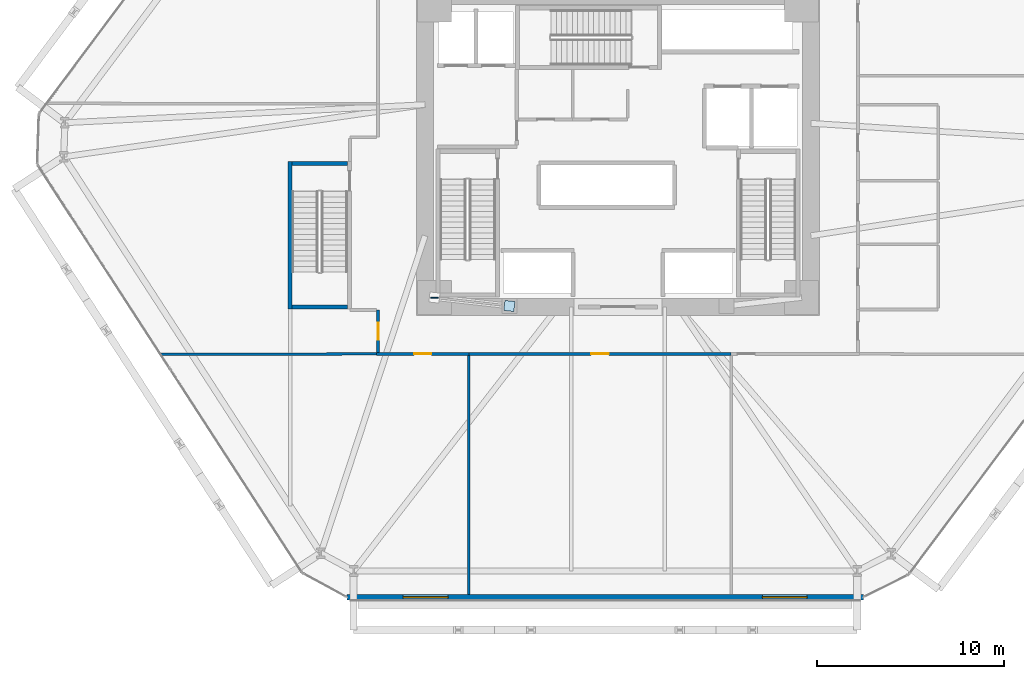
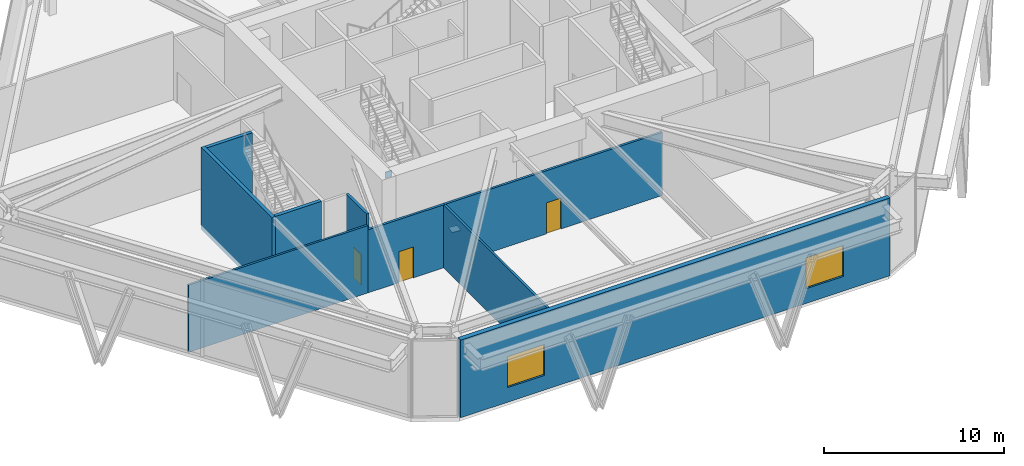
# One storey, part 13 of 19: 9 walls, 3 doors, 2 plates, 2 windows, 5 openings.
"""IFC4 building model written with IfcOpenShell, lengths in metres."""

from ifc_helpers import new_model, si_unit, direction, frame, frame_2d, origin, origin_2d, place, context, subcontext, project, spatial, rectangle, extrude, source, transform, mapped, material, layer, layer_set, type_object, type_shapes, element, fill, save


model = new_model("IFC4")

# Units and contexts
model_context = context("Model", 3, precision=1e-05, world=origin(), true_north=direction((0.0, 1.0)))
body_context = subcontext(model_context, "Body", "Model", "MODEL_VIEW")
ifc_project = project(units=[si_unit("LENGTHUNIT", "METRE"), si_unit("AREAUNIT", "SQUARE_METRE"), si_unit("VOLUMEUNIT", "CUBIC_METRE"), si_unit("PLANEANGLEUNIT", "RADIAN"), si_unit("MASSUNIT", "GRAM", prefix="KILO")], contexts=[model_context])

# Site, building, storey
site_placement = place(None, origin())
site = spatial("IfcSite", under=ifc_project, at=site_placement, CompositionType="ELEMENT")
building_placement = place(site_placement, origin())
building = spatial("IfcBuilding", under=site, at=building_placement, Name="Durnholm Broadcast Tower", CompositionType="ELEMENT")
storey_placement = place(building_placement, frame((0.0, 0.0, 15.60009765625)))
storey = spatial("IfcBuildingStorey", under=building, at=storey_placement, Name="L03", CompositionType="ELEMENT", Elevation=15.60009765625)

# Plates
ifc_material_1 = material(Name="Steel ASTM A572 Grade 50", Category="steel")
ifc_layer_1 = layer(ifc_material_1, 0.044921875)
ifc_layer_set_1 = layer_set([ifc_layer_1], Name="Steel ASTM A572 Grade 50")
plate_type_1 = type_object("IfcPlateType", Name="PLT-KN-STIF", PredefinedType="SHEET", material=ifc_layer_set_1)
shared_shape_1 = source(origin(), body_context, "Body", "SweptSolid", [
    extrude(rectangle(XDim=0.419921875, YDim=0.050048828125, at=origin_2d()), origin(), (0.0, 0.0, 1.0), 0.419921875),
])
type_shapes(plate_type_1, [shared_shape_1])
plate_1_placement = place(storey_placement, frame((-9.800048828125, -7.800048828125, 4.901123046875), z_axis=(0.0, 0.0, 1.0), x_axis=(1.0, 0.0, 0.0)))
element("IfcPlate", 1, at=plate_1_placement, inside=storey, type_object=plate_type_1, Name="L03 gallery stringer brace core wall cast-in plate", ObjectType="GUSSET_PLATE", PredefinedType="USERDEFINED", context=body_context, shape_type="MappedRepresentation", body=[
    mapped(shared_shape_1, transform((0.0, 0.0, 0.0), x_axis=(1.0, 0.0, 0.0), y_axis=(0.0, 1.0, 0.0), z_axis=(0.0, 0.0, 1.0), scale=1.0)),
])
ifc_layer_2 = layer(ifc_material_1, 0.0400390625)
ifc_layer_set_2 = layer_set([ifc_layer_2], Name="Steel ASTM A572 Grade 50")
plate_type_2 = type_object("IfcPlateType", Name="PLT-KN-CAP", PredefinedType="USERDEFINED", material=ifc_layer_set_2)
shared_shape_2 = source(origin(), body_context, "Body", "SweptSolid", [
    extrude(rectangle(XDim=0.5400390625, YDim=0.5400390625, at=origin_2d()), origin(), (0.0, 0.0, 1.0), 0.0400390625),
])
type_shapes(plate_type_2, [shared_shape_2])
plate_2_placement = place(storey_placement, frame((-5.800048828125, -8.25, 0.22998046875), z_axis=(0.0, 0.0, 1.0), x_axis=(-0.99372894862, 0.111815815852, 0.0)))
element("IfcPlate", 2, at=plate_2_placement, inside=storey, type_object=plate_type_2, Name="L03 hollow section end cap plate STL-STG-L03-1 1", ObjectType="CAP_PLATE", PredefinedType="USERDEFINED", context=body_context, shape_type="MappedRepresentation", body=[
    mapped(shared_shape_2, transform((0.0, 0.0, 0.0), x_axis=(1.0, 0.0, 0.0), y_axis=(0.0, 1.0, 0.0), z_axis=(0.0, 0.0, 1.0), scale=1.0)),
])

# Wall, openings, windows
ifc_material_2 = material(Name="Precast Concrete C45/55", Category="concrete")
ifc_layer_3 = layer(ifc_material_2, 0.300048828125)
ifc_layer_set_3 = layer_set([ifc_layer_3], Name="Precast Concrete C45/55")
wall_type_1 = type_object("IfcWallType", Name="WALL-EXT-300", PredefinedType="SOLIDWALL", material=ifc_layer_set_3)
wall_1_placement = place(storey_placement, frame((13.102783203125, -23.800048828125, 0.0), z_axis=(0.0, 0.0, 1.0), x_axis=(-1.0, 0.0, 0.0)))
wall_1 = element("IfcWall", 3, at=wall_1_placement, inside=storey, type_object=wall_type_1, Name="L03 broadcast studio acoustic facade wall 10", PredefinedType="SOLIDWALL", context=body_context, shape_type="SweptSolid", body=[
    extrude(rectangle(XDim=27.577880859375, YDim=0.300048828125, at=frame_2d((13.7890625, 0.0))), origin(), (0.0, 0.0, 1.0), 5.27978515625),
])
opening_1_placement = place(wall_1_placement, frame((3.0, 0.0, 1.0)))
opening_1 = element("IfcOpeningElement", 4, at=opening_1_placement, cuts=wall_1, Name="Opening W1", PredefinedType="OPENING", context=body_context, shape_type="SweptSolid", body=[
    extrude(rectangle(XDim=2.39990234375, YDim=2.10009765625, at=frame_2d((1.199951171875, 1.050048828125))), frame((0.0, 0.16015625, 0.0), z_axis=(0.0, -1.0, 0.0), x_axis=(1.0, 0.0, 0.0)), (0.0, 0.0, 1.0), 0.320068359375),
])
opening_2_placement = place(wall_1_placement, frame((22.177978515625, 0.0, 1.0)))
opening_2 = element("IfcOpeningElement", 5, at=opening_2_placement, cuts=wall_1, Name="Opening W1", PredefinedType="OPENING", context=body_context, shape_type="SweptSolid", body=[
    extrude(rectangle(XDim=2.39990234375, YDim=2.10009765625, at=frame_2d((1.199951171875, 1.050048828125))), frame((0.0, 0.16015625, 0.0), z_axis=(0.0, -1.0, 0.0), x_axis=(1.0, 0.0, 0.0)), (0.0, 0.0, 1.0), 0.320068359375),
])
ifc_material_3 = material(Name="Thermally Broken Aluminium and Laminated Glass", Category="aluminium")
ifc_layer_4 = layer(ifc_material_3, 0.06005859375)
ifc_layer_set_4 = layer_set([ifc_layer_4], Name="Thermally Broken Aluminium and Laminated Glass")
window_type = type_object("IfcWindowType", Name="WIN-W1", PartitioningType="SINGLE_PANEL", PredefinedType="WINDOW", material=ifc_layer_set_4)
shared_shape_3 = source(origin(), body_context, "Body", "SweptSolid", [
    extrude(rectangle(XDim=2.39990234375, YDim=2.10009765625, at=frame_2d((1.199951171875, 1.050048828125))), frame((0.0, 0.030029296875, 0.0), z_axis=(0.0, -1.0, 0.0), x_axis=(1.0, 0.0, 0.0)), (0.0, 0.0, 1.0), 0.06005859375),
])
type_shapes(window_type, [shared_shape_3])
window_1_placement = place(opening_1_placement, origin())
window_1 = element("IfcWindow", 6, at=window_1_placement, inside=storey, type_object=window_type, Name="L03 studio acoustic window 10.1", OverallHeight=2.10009765625, OverallWidth=2.39990234375, PartitioningType="SINGLE_PANEL", PredefinedType="WINDOW", context=body_context, shape_type="MappedRepresentation", body=[
    mapped(shared_shape_3, transform((0.0, 0.0, 0.0), x_axis=(1.0, 0.0, 0.0), y_axis=(0.0, 1.0, 0.0), z_axis=(0.0, 0.0, 1.0), scale=1.0)),
])
fill(opening_1, window_1)
window_2_placement = place(opening_2_placement, origin())
window_2 = element("IfcWindow", 7, at=window_2_placement, inside=storey, type_object=window_type, Name="L03 studio acoustic window 10.2", OverallHeight=2.10009765625, OverallWidth=2.39990234375, PartitioningType="SINGLE_PANEL", PredefinedType="WINDOW", context=body_context, shape_type="MappedRepresentation", body=[
    mapped(shared_shape_3, transform((0.0, 0.0, 0.0), x_axis=(1.0, 0.0, 0.0), y_axis=(0.0, 1.0, 0.0), z_axis=(0.0, 0.0, 1.0), scale=1.0)),
])
fill(opening_2, window_2)

# Walls
ifc_material_4 = material(Name="Gypsum Metal Stud Partition", Category="concrete")
ifc_layer_5 = layer(ifc_material_4, 0.135009765625)
ifc_layer_set_5 = layer_set([ifc_layer_5], Name="Gypsum Metal Stud Partition")
wall_type_2 = type_object("IfcWallType", Name="WALL-PART-135", PredefinedType="PARTITIONING", material=ifc_layer_set_5)
wall_2_placement = place(storey_placement, frame((-7.9599609375, -10.888916015625, 0.0), z_axis=(0.0, 0.0, 1.0), x_axis=(0.0, -1.0, 0.0)))
element("IfcWall", 8, at=wall_2_placement, inside=storey, type_object=wall_type_2, Name="L03 room dividing partition 9.10", PredefinedType="PARTITIONING", context=body_context, shape_type="SweptSolid", body=[
    extrude(rectangle(XDim=12.756103515625, YDim=0.135009765625, at=frame_2d((6.3779296875, 0.0))), origin(), (0.0, 0.0, 1.0), 4.284423828125),
])
wall_3_placement = place(storey_placement, frame((-24.421630859375, -10.831787109375, 0.0), z_axis=(0.0, 0.0, 1.0), x_axis=(0.999998264499, 0.001863061508, 0.0)))
element("IfcWall", 9, at=wall_3_placement, inside=storey, type_object=wall_type_2, Name="L03 room dividing partition 9.12", PredefinedType="PARTITIONING", context=body_context, shape_type="SweptSolid", body=[
    extrude(rectangle(XDim=11.53173828125, YDim=0.135009765625, at=frame_2d((5.765869140625, 0.0))), origin(), (0.0, 0.0, 1.0), 4.573974609375),
])

# Wall, opening, door
ifc_material_5 = material(Name="Acoustic Gypsum Stud Partition", Category="concrete")
ifc_layer_6 = layer(ifc_material_5, 0.14990234375)
ifc_layer_set_6 = layer_set([ifc_layer_6], Name="Acoustic Gypsum Stud Partition")
wall_type_3 = type_object("IfcWallType", Name="WALL-PART-150", PredefinedType="PARTITIONING", material=ifc_layer_set_6)
wall_4_placement = place(storey_placement, frame((-12.889892578125, -10.81005859375, 0.0), z_axis=(0.0, 0.0, 1.0), x_axis=(1.0, 0.0, 0.0)))
wall_4 = element("IfcWall", 10, at=wall_4_placement, inside=storey, type_object=wall_type_3, Name="L03 Audio Mixing Office corridor partition", PredefinedType="PARTITIONING", context=body_context, shape_type="SweptSolid", body=[
    extrude(rectangle(XDim=4.929931640625, YDim=0.14990234375, at=frame_2d((2.46484375, 0.0))), origin(), (0.0, 0.0, 1.0), 4.284423828125),
])
opening_3_placement = place(wall_4_placement, frame((2.0048828125, 0.0, 0.0)))
opening_3 = element("IfcOpeningElement", 11, at=opening_3_placement, cuts=wall_4, Name="Opening DR-92R", PredefinedType="OPENING", context=body_context, shape_type="SweptSolid", body=[
    extrude(rectangle(XDim=0.919921875, YDim=2.10009765625, at=frame_2d((0.4599609375, 1.050048828125))), frame((0.0, 0.0849609375, 0.0), z_axis=(0.0, -1.0, 0.0), x_axis=(1.0, 0.0, 0.0)), (0.0, 0.0, 1.0), 0.169921875),
])
ifc_material_6 = material(Name="Oak Veneer Office Door", Category="wood")
ifc_layer_7 = layer(ifc_material_6, 0.050048828125)
ifc_layer_set_7 = layer_set([ifc_layer_7], Name="Oak Veneer Office Door")
door_type_1 = type_object("IfcDoorType", Name="DOOR-RM-920R", OperationType="NOTDEFINED", PredefinedType="DOOR", material=ifc_layer_set_7)
shared_shape_4 = source(origin(), body_context, "Body", "SweptSolid", [
    extrude(rectangle(XDim=0.919921875, YDim=2.10009765625, at=frame_2d((0.4599609375, 1.050048828125))), frame((0.0, 0.02490234375, 0.0), z_axis=(0.0, -1.0, 0.0), x_axis=(1.0, 0.0, 0.0)), (0.0, 0.0, 1.0), 0.050048828125),
])
type_shapes(door_type_1, [shared_shape_4])
door_1_placement = place(opening_3_placement, origin())
door_1 = element("IfcDoor", 12, at=door_1_placement, inside=storey, type_object=door_type_1, Name="L03 Audio Mixing Office entrance door", OperationType="SINGLE_SWING_RIGHT", OverallHeight=2.10009765625, OverallWidth=0.919921875, PredefinedType="DOOR", context=body_context, shape_type="MappedRepresentation", body=[
    mapped(shared_shape_4, transform((0.0, 0.0, 0.0), x_axis=(1.0, 0.0, 0.0), y_axis=(0.0, 1.0, 0.0), z_axis=(0.0, 0.0, 1.0), scale=1.0)),
])
fill(opening_3, door_1)

wall_5_placement = place(storey_placement, frame((-7.9599609375, -10.81005859375, 0.0), z_axis=(0.0, 0.0, 1.0), x_axis=(1.0, 0.0, 0.0)))
wall_5 = element("IfcWall", 13, at=wall_5_placement, inside=storey, type_object=wall_type_3, Name="L03 Talent Dressing Room corridor partition", PredefinedType="PARTITIONING", context=body_context, shape_type="SweptSolid", body=[
    extrude(rectangle(XDim=14.0, YDim=0.14990234375, at=frame_2d((7.0, 0.0))), origin(), (0.0, 0.0, 1.0), 4.284423828125),
])
opening_4_placement = place(wall_5_placement, frame((6.52490234375, 0.0, 0.0)))
opening_4 = element("IfcOpeningElement", 14, at=opening_4_placement, cuts=wall_5, Name="Opening DR-95L", PredefinedType="OPENING", context=body_context, shape_type="SweptSolid", body=[
    extrude(rectangle(XDim=0.949951171875, YDim=2.10009765625, at=frame_2d((0.47509765625, 1.050048828125))), frame((0.0, 0.0849609375, 0.0), z_axis=(0.0, -1.0, 0.0), x_axis=(1.0, 0.0, 0.0)), (0.0, 0.0, 1.0), 0.169921875),
])
ifc_material_7 = material(Name="Acoustic Oak Veneer Timber Door", Category="wood")
ifc_layer_8 = layer(ifc_material_7, 0.050048828125)
ifc_layer_set_8 = layer_set([ifc_layer_8], Name="Acoustic Oak Veneer Timber Door")
door_type_2 = type_object("IfcDoorType", Name="DOOR-RM-950L", OperationType="NOTDEFINED", PredefinedType="DOOR", material=ifc_layer_set_8)
shared_shape_5 = source(origin(), body_context, "Body", "SweptSolid", [
    extrude(rectangle(XDim=0.949951171875, YDim=2.10009765625, at=frame_2d((0.47509765625, 1.050048828125))), frame((0.0, 0.02490234375, 0.0), z_axis=(0.0, -1.0, 0.0), x_axis=(1.0, 0.0, 0.0)), (0.0, 0.0, 1.0), 0.050048828125),
])
type_shapes(door_type_2, [shared_shape_5])
door_2_placement = place(opening_4_placement, origin())
door_2 = element("IfcDoor", 15, at=door_2_placement, inside=storey, type_object=door_type_2, Name="L03 Talent Dressing Room entrance door", OperationType="SINGLE_SWING_LEFT", OverallHeight=2.10009765625, OverallWidth=0.949951171875, PredefinedType="DOOR", context=body_context, shape_type="MappedRepresentation", body=[
    mapped(shared_shape_5, transform((0.0, 0.0, 0.0), x_axis=(1.0, 0.0, 0.0), y_axis=(0.0, 1.0, 0.0), z_axis=(0.0, 0.0, 1.0), scale=1.0)),
])
fill(opening_4, door_2)

wall_6_placement = place(storey_placement, frame((-12.81005859375, -8.4599609375, 0.0), z_axis=(0.0, 0.0, 1.0), x_axis=(0.0, -1.0, 0.0)))
wall_6 = element("IfcWall", 16, at=wall_6_placement, inside=storey, type_object=wall_type_3, Name="L03 Lighting Rack Store corridor partition", PredefinedType="PARTITIONING", context=body_context, shape_type="SweptSolid", body=[
    extrude(rectangle(XDim=2.27099609375, YDim=0.14990234375, at=frame_2d((1.135498046875, 0.0))), origin(), (0.0, 0.0, 1.0), 5.264892578125),
])
opening_5_placement = place(wall_6_placement, frame((0.685546875, 0.0, 0.0)))
opening_5 = element("IfcOpeningElement", 17, at=opening_5_placement, cuts=wall_6, Name="Opening DC-60L", PredefinedType="OPENING", context=body_context, shape_type="SweptSolid", body=[
    extrude(rectangle(XDim=0.89990234375, YDim=2.050048828125, at=frame_2d((0.449951171875, 1.02490234375))), frame((0.0, 0.0849609375, 0.0), z_axis=(0.0, -1.0, 0.0), x_axis=(1.0, 0.0, 0.0)), (0.0, 0.0, 1.0), 0.169921875),
])
ifc_material_8 = material(Name="Fire-Rated Core Service Door", Category="steel")
ifc_layer_9 = layer(ifc_material_8, 0.050048828125)
ifc_layer_set_9 = layer_set([ifc_layer_9], Name="Fire-Rated Core Service Door")
door_type_3 = type_object("IfcDoorType", Name="DOOR-CORE-FD60-L", OperationType="NOTDEFINED", PredefinedType="DOOR", material=ifc_layer_set_9)
shared_shape_6 = source(origin(), body_context, "Body", "SweptSolid", [
    extrude(rectangle(XDim=0.89990234375, YDim=2.050048828125, at=frame_2d((0.449951171875, 1.02490234375))), frame((0.0, 0.02490234375, 0.0), z_axis=(0.0, -1.0, 0.0), x_axis=(1.0, 0.0, 0.0)), (0.0, 0.0, 1.0), 0.050048828125),
])
type_shapes(door_type_3, [shared_shape_6])
door_3_placement = place(opening_5_placement, origin())
door_3 = element("IfcDoor", 18, at=door_3_placement, inside=storey, type_object=door_type_3, Name="L03 Lighting Rack Store entrance door", OperationType="SINGLE_SWING_LEFT", OverallHeight=2.050048828125, OverallWidth=0.89990234375, PredefinedType="DOOR", context=body_context, shape_type="MappedRepresentation", body=[
    mapped(shared_shape_6, transform((0.0, 0.0, 0.0), x_axis=(1.0, 0.0, 0.0), y_axis=(0.0, 1.0, 0.0), z_axis=(0.0, 0.0, 1.0), scale=1.0)),
])
fill(opening_5, door_3)

# Walls
ifc_material_9 = material(Name="Concrete C50/60", Category="concrete")
ifc_layer_10 = layer(ifc_material_9, 0.219970703125)
ifc_layer_set_10 = layer_set([ifc_layer_10], Name="Concrete C50/60")
wall_type_4 = type_object("IfcWallType", Name="WALL-SW-220", PredefinedType="SHEAR", material=ifc_layer_set_10)
wall_7_placement = place(storey_placement, frame((-17.510009765625, -0.530029296875, -0.320068359375), z_axis=(0.0, 0.0, 1.0), x_axis=(0.0, -1.0, 0.0)))
element("IfcWall", 19, at=wall_7_placement, inside=storey, type_object=wall_type_4, Name="L03 stair ST-4 structural shaft wall W", PredefinedType="SHEAR", context=body_context, shape_type="SweptSolid", body=[
    extrude(rectangle(XDim=7.889892578125, YDim=0.219970703125, at=frame_2d((3.94482421875, 0.0))), origin(), (0.0, 0.0, 1.0), 5.599853515625),
])
for number, where, z_axis, x_axis, name in (
    (20, (-17.39990234375, -8.31005859375, -0.320068359375), (0.0, 0.0, 1.0), (1.0, 0.0, 0.0), "L03 stair ST-4 structural shaft wall S"),
    (21, (-14.43994140625, -0.639892578125, -0.320068359375), (0.0, 0.0, 1.0), (-1.0, 0.0, 0.0), "L03 stair ST-4 structural shaft wall N"),
):
    element("IfcWall", number, at=place(storey_placement, frame(where, z_axis=z_axis, x_axis=x_axis)), inside=storey, type_object=wall_type_4, Name=name, PredefinedType="SHEAR", context=body_context, shape_type="SweptSolid", body=[
        extrude(rectangle(XDim=2.9599609375, YDim=0.219970703125, at=frame_2d((1.47998046875, 0.0))), origin(), (0.0, 0.0, 1.0), 5.599853515625),
    ])

save(model, "model.ifc")
